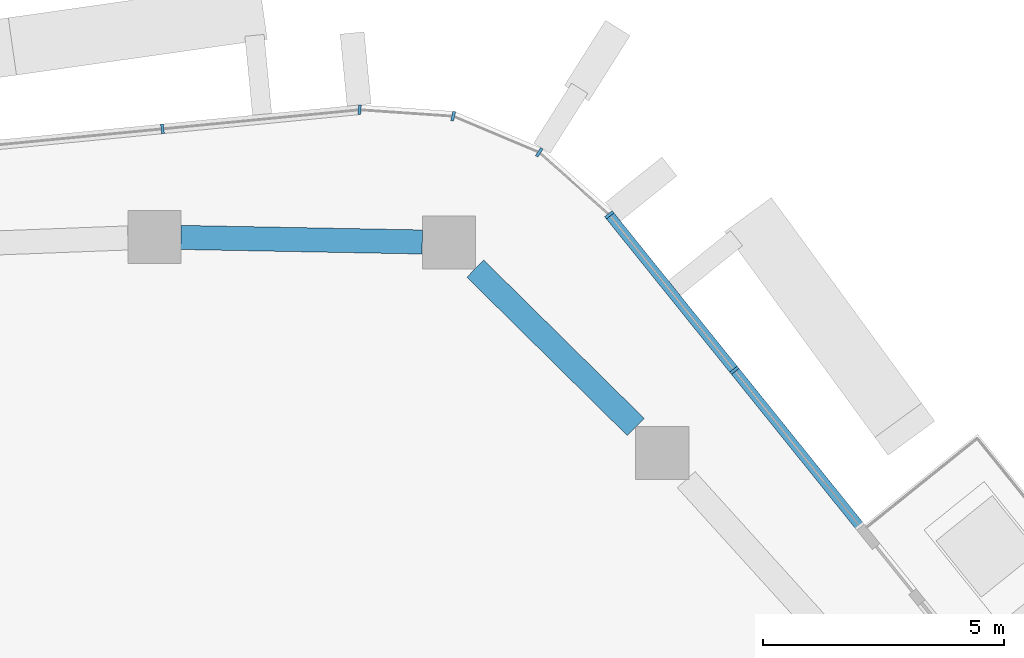
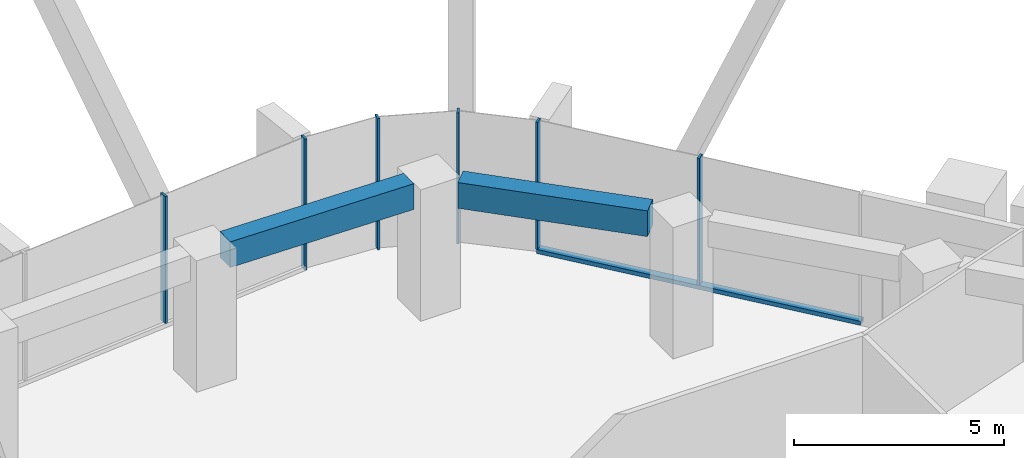
# One storey, part 9 of 20: 7 members, 2 beams, 3 elements without a shape of their own.
"""IFC4 building model written with IfcOpenShell, lengths in metres."""

from ifc_helpers import new_model, si_unit, direction, frame, origin, origin_2d, place, context, subcontext, project, spatial, rectangle, extrude, material, layer, layer_set, material_profile, profile_set, type_object, element, aggregate, save


model = new_model("IFC4")

# Units and contexts
model_context = context("Model", 3, precision=1e-05, world=origin(), true_north=direction((0.0, 1.0)))
body_context = subcontext(model_context, "Body", "Model", "MODEL_VIEW")
ifc_project = project(units=[si_unit("LENGTHUNIT", "METRE"), si_unit("AREAUNIT", "SQUARE_METRE"), si_unit("VOLUMEUNIT", "CUBIC_METRE"), si_unit("PLANEANGLEUNIT", "RADIAN"), si_unit("MASSUNIT", "GRAM", prefix="KILO")], contexts=[model_context])

# Site, building, storey
site_placement = place(None, origin())
site = spatial("IfcSite", under=ifc_project, at=site_placement, CompositionType="ELEMENT")
building_placement = place(site_placement, origin())
building = spatial("IfcBuilding", under=site, at=building_placement, Name="Dongbaek Canopy Tower", CompositionType="ELEMENT")
storey_placement = place(building_placement, frame((0.0, 0.0, 253.800048828125)))
storey = spatial("IfcBuildingStorey", under=building, at=storey_placement, Name="L53", CompositionType="ELEMENT", Elevation=253.800048828125)

# Curtain wall, members
ifc_material_1 = material(Name="Aluminium 6063-T6 pale anodised", Category="aluminium")
ifc_layer = layer(ifc_material_1, 0.199951171875)
ifc_layer_set = layer_set([ifc_layer], Name="CW-1 unitised tower curtain wall")
curtain_wall_type = type_object("IfcCurtainWallType", Name="CW-1 unitised tower curtain wall", PredefinedType="NOTDEFINED", material=ifc_layer_set)
curtain_wall_1_placement = place(storey_placement, origin())
curtain_wall_1 = element("IfcCurtainWall", 1, at=curtain_wall_1_placement, inside=storey, type_object=curtain_wall_type, Name="CW-1 curtain wall F0.1", PredefinedType="NOTDEFINED")
ifc_material_2 = material(Name="Aluminium 6063-T6 pale anodised", Category="aluminium")
ifc_material_profile_1 = material_profile(ifc_material_2, rectangle(XDim=0.199951171875, YDim=0.06005859375, at=origin_2d()), Name="CW-1 mullion 60 x 200")
ifc_profile_set_1 = profile_set([ifc_material_profile_1], Name="Aluminium 6063-T6 pale anodised")
member_type_1 = type_object("IfcMemberType", Name="CW-1 mullion 60 x 200", PredefinedType="MULLION", material=ifc_profile_set_1)
member_1_placement = place(storey_placement, frame((16.91357421875, 21.947998046875, 0.119873046875), z_axis=(0.0, 0.0, 1.0), x_axis=(0.779126406475, 0.626866846096, 0.0)))
member_1 = element("IfcMember", 2, at=member_1_placement, type_object=member_type_1, Name="CW-1 mullion F0.1.2", PredefinedType="MULLION", context=body_context, shape_type="SweptSolid", body=[
    extrude(rectangle(XDim=0.199951171875, YDim=0.06005859375, at=origin_2d()), origin(), (0.0, 0.0, 1.0), 3.7001953125),
])
member_2_placement = place(storey_placement, frame((14.3193359375, 25.17236328125, 0.119873046875), z_axis=(0.0, 0.0, 1.0), x_axis=(0.779126406475, 0.626866846096, 0.0)))
member_2 = element("IfcMember", 3, at=member_2_placement, type_object=member_type_1, Name="CW-1 mullion F0.1.3", PredefinedType="MULLION", context=body_context, shape_type="SweptSolid", body=[
    extrude(rectangle(XDim=0.199951171875, YDim=0.06005859375, at=origin_2d()), origin(), (0.0, 0.0, 1.0), 3.7001953125),
])

curtain_wall_2_placement = place(storey_placement, origin())
curtain_wall_2 = element("IfcCurtainWall", 4, at=curtain_wall_2_placement, inside=storey, type_object=curtain_wall_type, Name="CW-1 curtain wall K1.1", PredefinedType="NOTDEFINED")
member_3_placement = place(storey_placement, frame((12.866943359375, 26.4677734375, 0.0), z_axis=(0.0, 0.0, 1.0), x_axis=(0.53397526662, 0.845500097361, 0.0)))
member_3 = element("IfcMember", 5, at=member_3_placement, type_object=member_type_1, Name="CW-1 mullion K1.1.2", PredefinedType="MULLION", context=body_context, shape_type="SweptSolid", body=[
    extrude(rectangle(XDim=0.199951171875, YDim=0.06005859375, at=origin_2d()), origin(), (0.0, 0.0, 1.0), 3.820068359375),
])
member_4_placement = place(storey_placement, frame((11.0810546875, 27.21923828125, 0.0), z_axis=(0.0, 0.0, 1.0), x_axis=(0.231208419805, 0.97290424329, 0.0)))
member_4 = element("IfcMember", 6, at=member_4_placement, type_object=member_type_1, Name="CW-1 mullion K1.1.3", PredefinedType="MULLION", context=body_context, shape_type="SweptSolid", body=[
    extrude(rectangle(XDim=0.199951171875, YDim=0.06005859375, at=origin_2d()), origin(), (0.0, 0.0, 1.0), 3.820068359375),
])
member_5_placement = place(storey_placement, frame((9.1396484375, 27.35205078125, 0.0), z_axis=(0.0, 0.0, 1.0), x_axis=(0.06827854959, 0.997666296748, 0.0)))
member_5 = element("IfcMember", 7, at=member_5_placement, type_object=member_type_1, Name="CW-1 mullion K1.1.4", PredefinedType="MULLION", context=body_context, shape_type="SweptSolid", body=[
    extrude(rectangle(XDim=0.199951171875, YDim=0.06005859375, at=origin_2d()), origin(), (0.0, 0.0, 1.0), 3.820068359375),
])
aggregate(curtain_wall_2, [member_3, member_4, member_5])

# Curtain wall, member
curtain_wall_3_placement = place(storey_placement, origin())
curtain_wall_3 = element("IfcCurtainWall", 8, at=curtain_wall_3_placement, inside=storey, type_object=curtain_wall_type, Name="CW-1 curtain wall F1.1", PredefinedType="NOTDEFINED")
member_6_placement = place(storey_placement, frame((5.051513671875, 26.95556640625, 0.119873046875), z_axis=(0.0, 0.0, 1.0), x_axis=(-0.096505718384, 0.995332430055, 0.0)))
member_6 = element("IfcMember", 9, at=member_6_placement, type_object=member_type_1, Name="CW-1 mullion F1.1.2", PredefinedType="MULLION", context=body_context, shape_type="SweptSolid", body=[
    extrude(rectangle(XDim=0.199951171875, YDim=0.06005859375, at=origin_2d()), origin(), (0.0, 0.0, 1.0), 3.7001953125),
])
aggregate(curtain_wall_3, [member_6])

# Member
ifc_material_3 = material(Name="Aluminium 6063-T6 pale anodised", Category="aluminium")
ifc_material_profile_2 = material_profile(ifc_material_3, rectangle(XDim=0.199951171875, YDim=0.1201171875, at=origin_2d()), Name="CW-1 transom 120 x 200")
ifc_profile_set_2 = profile_set([ifc_material_profile_2], Name="Aluminium 6063-T6 pale anodised")
member_type_2 = type_object("IfcMemberType", Name="CW-1 transom 120 x 200", PredefinedType="USERDEFINED", material=ifc_profile_set_2)
member_7_placement = place(storey_placement, frame((19.51318359375, 18.717041015625, 0.06005859375), z_axis=(-0.626870264411, 0.779123656166, 0.0), x_axis=(-0.779123656166, -0.626870264411, 0.0)))
member_7 = element("IfcMember", 10, at=member_7_placement, type_object=member_type_2, Name="CW-1 transom F0.1.1", ObjectType="TRANSOM", PredefinedType="USERDEFINED", context=body_context, shape_type="SweptSolid", body=[
    extrude(rectangle(XDim=0.199951171875, YDim=0.1201171875, at=origin_2d()), origin(), (0.0, 0.0, 1.0), 8.285400390625),
])

aggregate(curtain_wall_1, [member_1, member_2, member_7])

# Beams
ifc_material_4 = material(Name="Concrete C70", Category="concrete")
ifc_material_profile_3 = material_profile(ifc_material_4, rectangle(XDim=0.5, YDim=0.75, at=origin_2d()), Name="RC EDGE BEAM 500x750 C70")
ifc_profile_set_3 = profile_set([ifc_material_profile_3], Name="Concrete C70")
beam_type = type_object("IfcBeamType", Name="RC EDGE BEAM 500x750 C70", PredefinedType="BEAM", material=ifc_profile_set_3)
beam_1_placement = place(storey_placement, frame((5.43310546875, 24.70361328125, 3.445068359375), z_axis=(0.999822914654, -0.018818590065, 0.0), x_axis=(0.018818590065, 0.999822914654, 0.0)))
element("IfcBeam", 11, at=beam_1_placement, inside=storey, type_object=beam_type, Name="EDGEBEAM:L53:16", PredefinedType="BEAM", context=body_context, shape_type="SweptSolid", body=[
    extrude(rectangle(XDim=0.5, YDim=0.75, at=origin_2d()), origin(), (0.0, 0.0, 1.0), 5.0078125),
])
beam_2_placement = place(storey_placement, frame((11.5400390625, 24.05615234375, 3.445068359375), z_axis=(0.711738619198, -0.70244440203, 0.0), x_axis=(0.70244440203, 0.711738619198, 0.0)))
element("IfcBeam", 12, at=beam_2_placement, inside=storey, type_object=beam_type, Name="EDGEBEAM:L53:17", PredefinedType="BEAM", context=body_context, shape_type="SweptSolid", body=[
    extrude(rectangle(XDim=0.5, YDim=0.75, at=origin_2d()), origin(), (0.0, 0.0, 1.0), 4.67578125),
])

save(model, "model.ifc")
